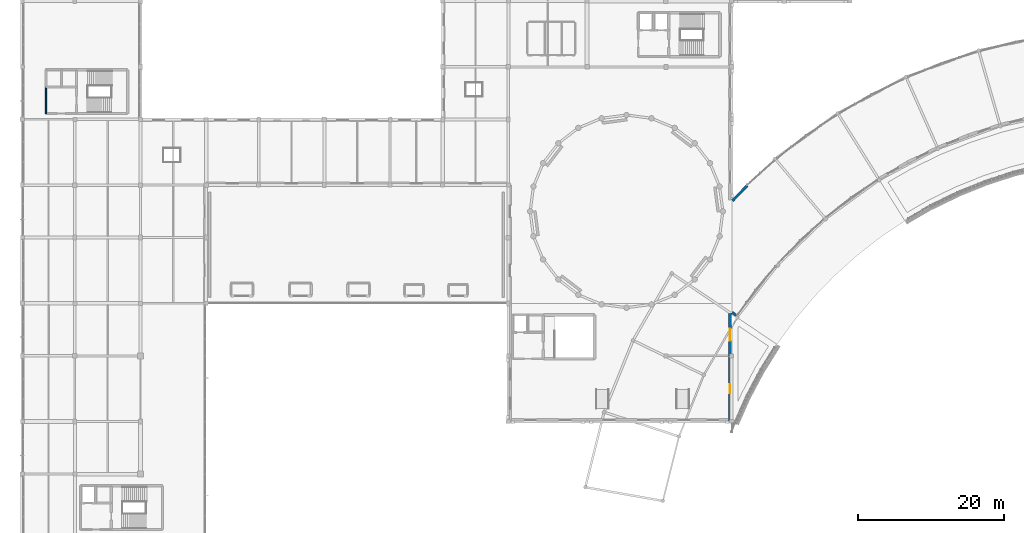
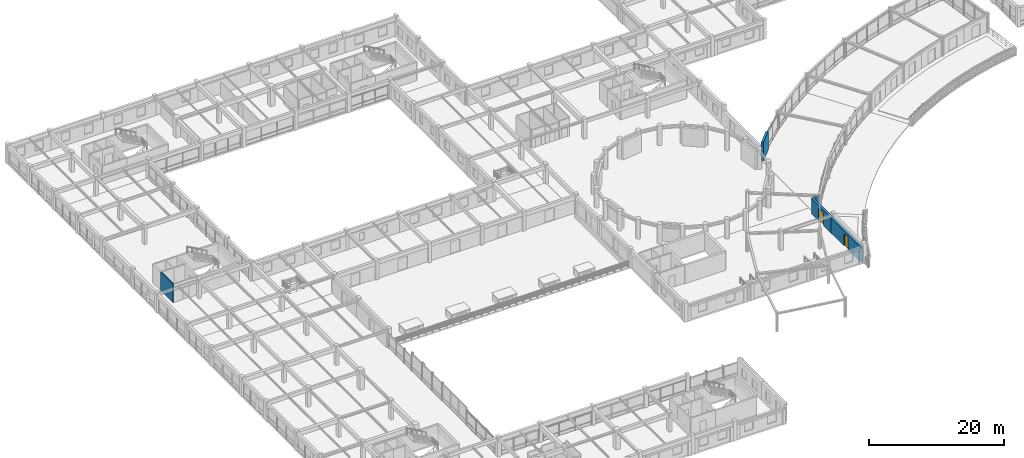
# One storey, part 52 of 74: 5 walls, 2 doors, 2 openings.
"""IFC4 building model written with IfcOpenShell, lengths in metres."""

from ifc_helpers import new_model, si_unit, direction, frame, frame_2d, origin, place, context, subcontext, project, spatial, rectangle, extrude, material, layer, layer_set, type_object, element, fill, save


model = new_model("IFC4")

# Units and contexts
model_context = context("Model", 3, precision=1e-05, world=origin(), true_north=direction((0.0, 1.0)))
body_context = subcontext(model_context, "Body", "Model", "MODEL_VIEW")
ifc_project = project(units=[si_unit("LENGTHUNIT", "METRE"), si_unit("AREAUNIT", "SQUARE_METRE"), si_unit("VOLUMEUNIT", "CUBIC_METRE"), si_unit("PLANEANGLEUNIT", "RADIAN"), si_unit("MASSUNIT", "GRAM", prefix="KILO")], contexts=[model_context])

# Site, building, storey
site_placement = place(None, origin())
site = spatial("IfcSite", under=ifc_project, at=site_placement, CompositionType="ELEMENT")
building_placement = place(site_placement, origin())
building = spatial("IfcBuilding", under=site, at=building_placement, Name="Clarverna Civic Hall", CompositionType="ELEMENT")
storey_placement = place(building_placement, frame((0.0, 0.0, 9.60009765625)))
storey = spatial("IfcBuildingStorey", under=building, at=storey_placement, Name="L02", CompositionType="ELEMENT", Elevation=9.60009765625)

# Wall, opening, door
ifc_material_1 = material(Name="Montjuic Limestone Ashlar Cladding", Category="masonry")
ifc_layer_1 = layer(ifc_material_1, 0.39990234375)
ifc_layer_set_1 = layer_set([ifc_layer_1], Name="Montjuic Limestone Ashlar Cladding")
wall_type_1 = type_object("IfcWallType", Name="EW-02", PredefinedType="SOLIDWALL", material=ifc_layer_set_1)
wall_1_placement = place(storey_placement, frame((96.97509765625, 44.97998046875, 0.0), z_axis=(0.0, 0.0, 1.0), x_axis=(0.0, -1.0, 0.0)))
wall_1 = element("IfcWall", 1, at=wall_1_placement, inside=storey, type_object=wall_type_1, Name="EW-02-113", PredefinedType="SOLIDWALL", context=body_context, shape_type="SweptSolid", body=[
    extrude(rectangle(XDim=5.780029296875, YDim=0.39990234375, at=frame_2d((2.89013671875, 0.0))), origin(), (0.0, 0.0, 1.0), 2.77978515625),
])
opening_1_placement = place(wall_1_placement, frame((2.090087890625, 0.0, 0.0)))
opening_1 = element("IfcOpeningElement", 2, at=opening_1_placement, cuts=wall_1, Name="Opening ED-04", PredefinedType="OPENING", context=body_context, shape_type="SweptSolid", body=[
    extrude(rectangle(XDim=1.60009765625, YDim=2.25, at=frame_2d((0.800048828125, 1.125))), frame((0.0, 0.2099609375, 0.0), z_axis=(0.0, -1.0, 0.0), x_axis=(1.0, 0.0, 0.0)), (0.0, 0.0, 1.0), 0.419921875),
])
ifc_material_2 = material(Name="Anodised Bronze Glazed Door")
door_type_1 = type_object("IfcDoorType", Name="ED-04", OperationType="DOUBLE_DOOR_SINGLE_SWING", PredefinedType="DOOR", material=ifc_material_2)
door_1_placement = place(opening_1_placement, origin())
door_1 = element("IfcDoor", 3, at=door_1_placement, inside=storey, type_object=door_type_1, Name="ED-04-019", OperationType="DOUBLE_DOOR_SINGLE_SWING", OverallHeight=2.25, OverallWidth=1.60009765625, PredefinedType="DOOR", context=body_context, shape_type="SweptSolid", body=[
    extrude(rectangle(XDim=1.60009765625, YDim=2.25, at=frame_2d((0.800048828125, 1.125))), frame((0.0, 0.02490234375, 0.0), z_axis=(0.0, -1.0, 0.0), x_axis=(1.0, 0.0, 0.0)), (0.0, 0.0, 1.0), 0.050048828125),
])
fill(opening_1, door_1)

wall_2_placement = place(storey_placement, frame((96.97509765625, 39.199951171875, 0.0), z_axis=(0.0, 0.0, 1.0), x_axis=(0.0, -1.0, 0.0)))
wall_2 = element("IfcWall", 4, at=wall_2_placement, inside=storey, type_object=wall_type_1, Name="EW-02-114", PredefinedType="SOLIDWALL", context=body_context, shape_type="SweptSolid", body=[
    extrude(rectangle(XDim=9.0, YDim=0.39990234375, at=frame_2d((4.5, 0.0))), origin(), (0.0, 0.0, 1.0), 2.77978515625),
])
opening_2_placement = place(wall_2_placement, frame((3.875, 0.0, 0.0)))
opening_2 = element("IfcOpeningElement", 5, at=opening_2_placement, cuts=wall_2, Name="Opening ED-06", PredefinedType="OPENING", context=body_context, shape_type="SweptSolid", body=[
    extrude(rectangle(XDim=1.25, YDim=2.25, at=frame_2d((0.625, 1.125))), frame((0.0, 0.2099609375, 0.0), z_axis=(0.0, -1.0, 0.0), x_axis=(1.0, 0.0, 0.0)), (0.0, 0.0, 1.0), 0.419921875),
])
door_type_2 = type_object("IfcDoorType", Name="ED-06", OperationType="NOTDEFINED", PredefinedType="DOOR", material=ifc_material_2)
door_2_placement = place(opening_2_placement, origin())
door_2 = element("IfcDoor", 6, at=door_2_placement, inside=storey, type_object=door_type_2, Name="ED-06-001", OperationType="SINGLE_SWING_RIGHT", OverallHeight=2.25, OverallWidth=1.25, PredefinedType="DOOR", context=body_context, shape_type="SweptSolid", body=[
    extrude(rectangle(XDim=1.25, YDim=2.25, at=frame_2d((0.625, 1.125))), frame((0.0, 0.02490234375, 0.0), z_axis=(0.0, -1.0, 0.0), x_axis=(1.0, 0.0, 0.0)), (0.0, 0.0, 1.0), 0.050048828125),
])
fill(opening_2, door_2)

# Walls
ifc_layer_2 = layer(ifc_material_1, 0.360107421875)
ifc_layer_set_2 = layer_set([ifc_layer_2], Name="Montjuic Limestone Ashlar Cladding")
wall_type_2 = type_object("IfcWallType", Name="EW-03", PredefinedType="SOLIDWALL", material=ifc_layer_set_2)
wall_3_placement = place(storey_placement, frame((97.304443359375, 60.441650390625, 0.0), z_axis=(0.0, 0.0, 1.0), x_axis=(0.694640707317, 0.719356857018, 0.0)))
element("IfcWall", 7, at=wall_3_placement, inside=storey, type_object=wall_type_2, Name="EW-03-009", PredefinedType="SOLIDWALL", context=body_context, shape_type="SweptSolid", body=[
    extrude(rectangle(XDim=2.923828125, YDim=0.360107421875, at=frame_2d((1.4619140625, 0.0))), origin(), (0.0, 0.0, 1.0), 3.35986328125),
])
wall_4_placement = place(storey_placement, frame((98.047607421875, 44.608642578125, 0.0), z_axis=(0.0, 0.0, 1.0), x_axis=(-0.829134315253, 0.559049449753, 0.0)))
element("IfcWall", 8, at=wall_4_placement, inside=storey, type_object=wall_type_2, Name="EW-03-016", PredefinedType="SOLIDWALL", context=body_context, shape_type="SweptSolid", body=[
    extrude(rectangle(XDim=0.93115234375, YDim=0.360107421875, at=frame_2d((0.465576171875, 0.0))), origin(), (0.0, 0.0, 1.0), 2.969970703125),
])
ifc_material_3 = material(Name="Acoustic Gypsum Plasterboard on Twin Frame", Category="gypsum")
ifc_layer_3 = layer(ifc_material_3, 0.18994140625)
ifc_layer_set_3 = layer_set([ifc_layer_3], Name="Acoustic Gypsum Plasterboard on Twin Frame")
wall_type_3 = type_object("IfcWallType", Name="PW-06", PredefinedType="PARTITIONING", material=ifc_layer_set_3)
wall_5_placement = place(storey_placement, frame((3.25, 72.39990234375, 0.0), z_axis=(0.0, 0.0, 1.0), x_axis=(0.0, 1.0, 0.0)))
element("IfcWall", 9, at=wall_5_placement, inside=storey, type_object=wall_type_3, Name="PW-06-121", PredefinedType="PARTITIONING", context=body_context, shape_type="SweptSolid", body=[
    extrude(rectangle(XDim=3.650146484375, YDim=0.18994140625, at=frame_2d((1.8251953125, 0.0))), origin(), (0.0, 0.0, 1.0), 3.31982421875),
])

save(model, "model.ifc")
